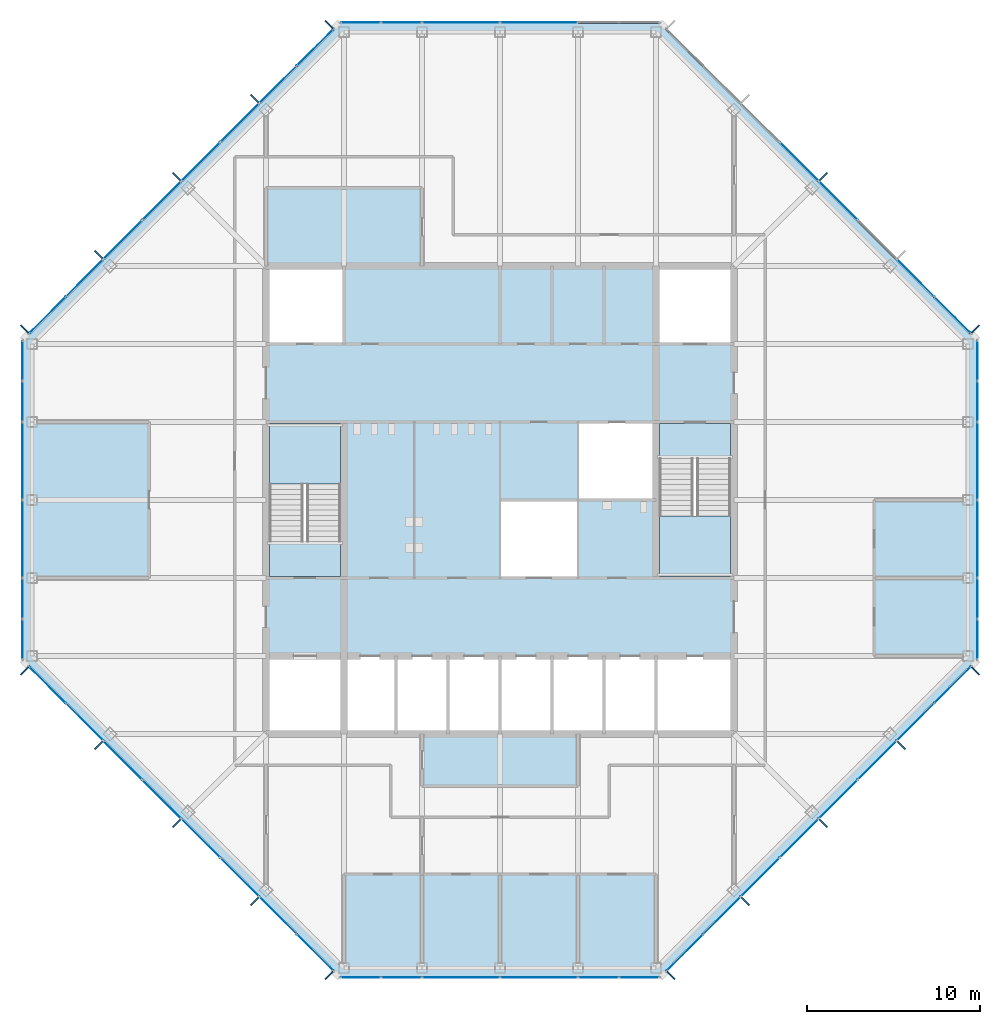
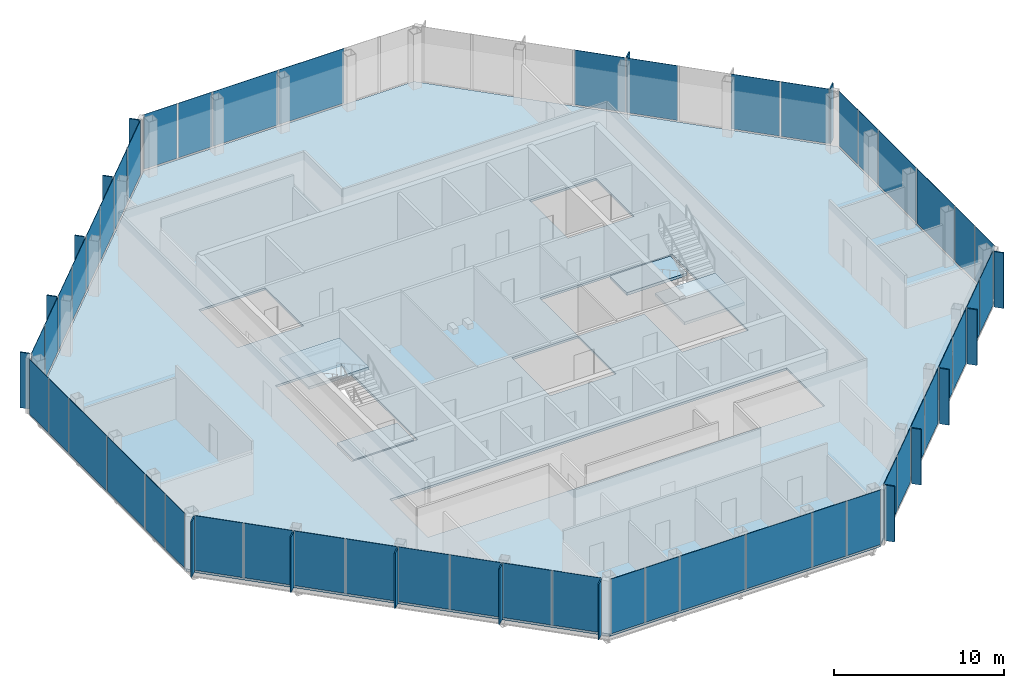
# One storey, part 8 of 13: 67 plates, 5 slabs, 10 elements without a shape of their own.
"""IFC4 building model written with IfcOpenShell, lengths in metres."""

from ifc_helpers import new_model, si_unit, direction, frame, origin, origin_2d, place, context, subcontext, project, spatial, polyline, rectangle, outline, extrude, material, layer, layer_set, type_object, element, aggregate, save


model = new_model("IFC4")

# Units and contexts
model_context = context("Model", 3, precision=1e-05, world=origin(), true_north=direction((0.0, 1.0)))
body_context = subcontext(model_context, "Body", "Model", "MODEL_VIEW")
ifc_project = project(units=[si_unit("LENGTHUNIT", "METRE"), si_unit("AREAUNIT", "SQUARE_METRE"), si_unit("VOLUMEUNIT", "CUBIC_METRE"), si_unit("PLANEANGLEUNIT", "RADIAN"), si_unit("MASSUNIT", "GRAM", prefix="KILO")], contexts=[model_context])

# Site, building, storey
site_placement = place(None, origin())
site = spatial("IfcSite", under=ifc_project, at=site_placement, CompositionType="ELEMENT")
building_placement = place(site_placement, origin())
building = spatial("IfcBuilding", under=site, at=building_placement, Name="Corais Broadcast Tower", CompositionType="ELEMENT")
storey_placement = place(building_placement, frame((0.0, 0.0, 270.60009765625)))
storey = spatial("IfcBuildingStorey", under=building, at=storey_placement, Name="L63", CompositionType="ELEMENT", Elevation=270.60009765625)

# Slab
ifc_material_1 = material(Name="Concrete C30/37", Category="concrete")
ifc_layer_1 = layer(ifc_material_1, 0.159912109375)
ifc_layer_set_1 = layer_set([ifc_layer_1], Name="Concrete C30/37")
slab_type_1 = type_object("IfcSlabType", Name="Composite floor slab 160", PredefinedType="FLOOR", material=ifc_layer_set_1)
slab_1_placement = place(storey_placement, frame((0.0, 0.0, -0.16015625)))
element("IfcSlab", 1, at=slab_1_placement, inside=storey, type_object=slab_type_1, Name="S160 floor slab L63", PredefinedType="FLOOR", context=body_context, shape_type="SweptSolid", body=[
    extrude(outline(polyline([(17.80126953125, -0.47998046875), (-0.47998046875, 17.80126953125), (-0.47998046875, 36.19873046875), (17.80126953125, 54.47998046875), (36.19873046875, 54.47998046875), (54.47998046875, 36.19873046875), (54.47998046875, 17.80126953125), (36.19873046875, -0.47998046875), (17.80126953125, -0.47998046875)]), holes=[polyline([(13.5, 18.0), (40.5, 18.0), (40.5, 13.5), (13.5, 13.5), (13.5, 18.0)]), polyline([(18.0, 22.5), (13.5, 22.5), (13.5, 31.5), (18.0, 31.5), (18.0, 22.5)]), polyline([(18.0, 36.0), (13.5, 36.0), (13.5, 40.5), (18.0, 40.5), (18.0, 36.0)]), polyline([(31.5, 22.5), (27.0, 22.5), (27.0, 27.0), (31.4951171875, 27.0), (31.4951171875, 27.0048828125), (31.5, 27.0048828125), (31.5, 31.5), (40.5, 31.5), (40.5, 22.5), (36.0, 22.5), (36.0, 27.0), (31.5048828125, 27.0), (31.5048828125, 26.9951171875), (31.5, 26.9951171875), (31.5, 22.5)]), polyline([(40.5, 36.0), (36.0, 36.0), (36.0, 40.5), (40.5, 40.5), (40.5, 36.0)])]), origin(), (0.0, 0.0, 1.0), 0.16015625),
])

# Curtain wall, plates
ifc_material_2 = material(Name="Aluminium and glass", Category="aluminium")
curtain_wall_type = type_object("IfcCurtainWallType", Name="Unitised fritted curtain wall CW3", PredefinedType="NOTDEFINED", material=ifc_material_2)
curtain_wall_1_placement = place(storey_placement, origin())
curtain_wall_1 = element("IfcCurtainWall", 2, at=curtain_wall_1_placement, inside=storey, type_object=curtain_wall_type, Name="CW3 curtain wall L63 1", PredefinedType="NOTDEFINED")
ifc_material_3 = material(Name="Ceramic-fritted laminated glass", Category="glass")
ifc_layer_2 = layer(ifc_material_3, 0.02587890625)
ifc_layer_set_2 = layer_set([ifc_layer_2], Name="Ceramic-fritted laminated glass")
plate_type_1 = type_object("IfcPlateType", Name="Fritted glass panel CW3", PredefinedType="CURTAIN_PANEL", material=ifc_layer_set_2)
plate_1_placement = place(storey_placement, frame((16.330322265625, 0.891845703125, 0.06494140625), z_axis=(0.0, 0.0, 1.0), x_axis=(-0.707106781187, 0.707106781187, 0.0)))
plate_1 = element("IfcPlate", 3, at=plate_1_placement, type_object=plate_type_1, Name="CW3 panel 1", PredefinedType="CURTAIN_PANEL", context=body_context, shape_type="SweptSolid", body=[
    extrude(rectangle(XDim=2.9482421875, YDim=0.02587890625, at=origin_2d()), origin(), (0.0, 0.0, 1.0), 3.93505859375),
])
plate_2_placement = place(storey_placement, frame((11.986083984375, 5.236083984375, 0.06494140625), z_axis=(0.0, 0.0, 1.0), x_axis=(-0.707106781187, 0.707106781187, 0.0)))
plate_2 = element("IfcPlate", 4, at=plate_2_placement, type_object=plate_type_1, Name="CW3 panel 3", PredefinedType="CURTAIN_PANEL", context=body_context, shape_type="SweptSolid", body=[
    extrude(rectangle(XDim=3.116943359375, YDim=0.02587890625, at=origin_2d()), origin(), (0.0, 0.0, 1.0), 3.93505859375),
])
plate_3_placement = place(storey_placement, frame((7.486083984375, 9.736083984375, 0.06494140625), z_axis=(0.0, 0.0, 1.0), x_axis=(-0.707106781187, 0.707106781187, 0.0)))
plate_3 = element("IfcPlate", 5, at=plate_3_placement, type_object=plate_type_1, Name="CW3 panel 5", PredefinedType="CURTAIN_PANEL", context=body_context, shape_type="SweptSolid", body=[
    extrude(rectangle(XDim=3.116943359375, YDim=0.02587890625, at=origin_2d()), origin(), (0.0, 0.0, 1.0), 3.93505859375),
])
plate_4_placement = place(storey_placement, frame((3.0341796875, 14.18798828125, 0.06494140625), z_axis=(0.0, 0.0, 1.0), x_axis=(-0.707106781187, 0.707106781187, 0.0)))
plate_4 = element("IfcPlate", 6, at=plate_4_placement, type_object=plate_type_1, Name="CW3 panel 7", PredefinedType="CURTAIN_PANEL", context=body_context, shape_type="SweptSolid", body=[
    extrude(rectangle(XDim=2.98095703125, YDim=0.02587890625, at=origin_2d()), origin(), (0.0, 0.0, 1.0), 3.93505859375),
])

curtain_wall_2_placement = place(storey_placement, origin())
curtain_wall_2 = element("IfcCurtainWall", 7, at=curtain_wall_2_placement, inside=storey, type_object=curtain_wall_type, Name="CW3 curtain wall L63 2", PredefinedType="NOTDEFINED")
plate_5_placement = place(storey_placement, frame((-0.550048828125, 18.970458984375, 0.06494140625), z_axis=(0.0, 0.0, 1.0), x_axis=(0.0, 1.0, 0.0)))
plate_5 = element("IfcPlate", 8, at=plate_5_placement, type_object=plate_type_1, Name="CW3 panel 1", PredefinedType="CURTAIN_PANEL", context=body_context, shape_type="SweptSolid", body=[
    extrude(rectangle(XDim=2.266357421875, YDim=0.02587890625, at=origin_2d()), origin(), (0.0, 0.0, 1.0), 3.93505859375),
])
plate_6_placement = place(storey_placement, frame((-0.550048828125, 24.75, 0.06494140625), z_axis=(0.0, 0.0, 1.0), x_axis=(0.0, 1.0, 0.0)))
plate_6 = element("IfcPlate", 9, at=plate_6_placement, type_object=plate_type_1, Name="CW3 panel 3", PredefinedType="CURTAIN_PANEL", context=body_context, shape_type="SweptSolid", body=[
    extrude(rectangle(XDim=4.43505859375, YDim=0.02587890625, at=origin_2d()), origin(), (0.0, 0.0, 1.0), 3.93505859375),
])
plate_7_placement = place(storey_placement, frame((-0.550048828125, 32.681884765625, 0.06494140625), z_axis=(0.0, 0.0, 1.0), x_axis=(0.0, 1.0, 0.0)))
plate_7 = element("IfcPlate", 10, at=plate_7_placement, type_object=plate_type_1, Name="CW3 panel 5", PredefinedType="CURTAIN_PANEL", context=body_context, shape_type="SweptSolid", body=[
    extrude(rectangle(XDim=2.298828125, YDim=0.02587890625, at=origin_2d()), origin(), (0.0, 0.0, 1.0), 3.93505859375),
])

curtain_wall_3_placement = place(storey_placement, origin())
curtain_wall_3 = element("IfcCurtainWall", 11, at=curtain_wall_3_placement, inside=storey, type_object=curtain_wall_type, Name="CW3 curtain wall L63 3", PredefinedType="NOTDEFINED")
plate_8_placement = place(storey_placement, frame((0.891845703125, 37.669677734375, 0.06494140625), z_axis=(0.0, 0.0, 1.0), x_axis=(0.707106781187, 0.707106781187, 0.0)))
plate_8 = element("IfcPlate", 12, at=plate_8_placement, type_object=plate_type_1, Name="CW3 panel 1", PredefinedType="CURTAIN_PANEL", context=body_context, shape_type="SweptSolid", body=[
    extrude(rectangle(XDim=2.9482421875, YDim=0.02587890625, at=origin_2d()), origin(), (0.0, 0.0, 1.0), 3.93505859375),
])
plate_9_placement = place(storey_placement, frame((5.236083984375, 42.013916015625, 0.06494140625), z_axis=(0.0, 0.0, 1.0), x_axis=(0.707106781187, 0.707106781187, 0.0)))
plate_9 = element("IfcPlate", 13, at=plate_9_placement, type_object=plate_type_1, Name="CW3 panel 3", PredefinedType="CURTAIN_PANEL", context=body_context, shape_type="SweptSolid", body=[
    extrude(rectangle(XDim=3.116943359375, YDim=0.02587890625, at=origin_2d()), origin(), (0.0, 0.0, 1.0), 3.93505859375),
])
plate_10_placement = place(storey_placement, frame((9.736083984375, 46.513916015625, 0.06494140625), z_axis=(0.0, 0.0, 1.0), x_axis=(0.707106781187, 0.707106781187, 0.0)))
plate_10 = element("IfcPlate", 14, at=plate_10_placement, type_object=plate_type_1, Name="CW3 panel 5", PredefinedType="CURTAIN_PANEL", context=body_context, shape_type="SweptSolid", body=[
    extrude(rectangle(XDim=3.116943359375, YDim=0.02587890625, at=origin_2d()), origin(), (0.0, 0.0, 1.0), 3.93505859375),
])
plate_11_placement = place(storey_placement, frame((14.18798828125, 50.9658203125, 0.06494140625), z_axis=(0.0, 0.0, 1.0), x_axis=(0.707106781187, 0.707106781187, 0.0)))
plate_11 = element("IfcPlate", 15, at=plate_11_placement, type_object=plate_type_1, Name="CW3 panel 7", PredefinedType="CURTAIN_PANEL", context=body_context, shape_type="SweptSolid", body=[
    extrude(rectangle(XDim=2.98095703125, YDim=0.02587890625, at=origin_2d()), origin(), (0.0, 0.0, 1.0), 3.93505859375),
])

curtain_wall_4_placement = place(storey_placement, origin())
curtain_wall_4 = element("IfcCurtainWall", 16, at=curtain_wall_4_placement, inside=storey, type_object=curtain_wall_type, Name="CW3 curtain wall L63 4", PredefinedType="NOTDEFINED")
plate_12_placement = place(storey_placement, frame((18.970458984375, 54.550048828125, 0.06494140625), z_axis=(0.0, 0.0, 1.0), x_axis=(1.0, 0.0, 0.0)))
plate_12 = element("IfcPlate", 17, at=plate_12_placement, type_object=plate_type_1, Name="CW3 panel 1", PredefinedType="CURTAIN_PANEL", context=body_context, shape_type="SweptSolid", body=[
    extrude(rectangle(XDim=2.266357421875, YDim=0.02587890625, at=origin_2d()), origin(), (0.0, 0.0, 1.0), 3.93505859375),
])
plate_13_placement = place(storey_placement, frame((24.75, 54.550048828125, 0.06494140625), z_axis=(0.0, 0.0, 1.0), x_axis=(1.0, 0.0, 0.0)))
plate_13 = element("IfcPlate", 18, at=plate_13_placement, type_object=plate_type_1, Name="CW3 panel 3", PredefinedType="CURTAIN_PANEL", context=body_context, shape_type="SweptSolid", body=[
    extrude(rectangle(XDim=4.43505859375, YDim=0.02587890625, at=origin_2d()), origin(), (0.0, 0.0, 1.0), 3.93505859375),
])

curtain_wall_5_placement = place(storey_placement, origin())
curtain_wall_5 = element("IfcCurtainWall", 19, at=curtain_wall_5_placement, inside=storey, type_object=curtain_wall_type, Name="CW3 curtain wall L63 5", PredefinedType="NOTDEFINED")
plate_14_placement = place(storey_placement, frame((46.513916015625, 44.263916015625, 0.06494140625), z_axis=(0.0, 0.0, 1.0), x_axis=(0.707106781187, -0.707106781187, 0.0)))
plate_14 = element("IfcPlate", 20, at=plate_14_placement, type_object=plate_type_1, Name="CW3 panel 5", PredefinedType="CURTAIN_PANEL", context=body_context, shape_type="SweptSolid", body=[
    extrude(rectangle(XDim=3.116943359375, YDim=0.02587890625, at=origin_2d()), origin(), (0.0, 0.0, 1.0), 3.93505859375),
])
plate_15_placement = place(storey_placement, frame((50.9658203125, 39.81201171875, 0.06494140625), z_axis=(0.0, 0.0, 1.0), x_axis=(0.707106781187, -0.707106781187, 0.0)))
plate_15 = element("IfcPlate", 21, at=plate_15_placement, type_object=plate_type_1, Name="CW3 panel 7", PredefinedType="CURTAIN_PANEL", context=body_context, shape_type="SweptSolid", body=[
    extrude(rectangle(XDim=2.98095703125, YDim=0.02587890625, at=origin_2d()), origin(), (0.0, 0.0, 1.0), 3.93505859375),
])

curtain_wall_6_placement = place(storey_placement, origin())
curtain_wall_6 = element("IfcCurtainWall", 22, at=curtain_wall_6_placement, inside=storey, type_object=curtain_wall_type, Name="CW3 curtain wall L63 6", PredefinedType="NOTDEFINED")
plate_16_placement = place(storey_placement, frame((54.550048828125, 35.029541015625, 0.06494140625), z_axis=(0.0, 0.0, 1.0), x_axis=(0.0, -1.0, 0.0)))
plate_16 = element("IfcPlate", 23, at=plate_16_placement, type_object=plate_type_1, Name="CW3 panel 1", PredefinedType="CURTAIN_PANEL", context=body_context, shape_type="SweptSolid", body=[
    extrude(rectangle(XDim=2.266357421875, YDim=0.02587890625, at=origin_2d()), origin(), (0.0, 0.0, 1.0), 3.93505859375),
])
plate_17_placement = place(storey_placement, frame((54.550048828125, 29.25, 0.06494140625), z_axis=(0.0, 0.0, 1.0), x_axis=(0.0, -1.0, 0.0)))
plate_17 = element("IfcPlate", 24, at=plate_17_placement, type_object=plate_type_1, Name="CW3 panel 3", PredefinedType="CURTAIN_PANEL", context=body_context, shape_type="SweptSolid", body=[
    extrude(rectangle(XDim=4.43505859375, YDim=0.02587890625, at=origin_2d()), origin(), (0.0, 0.0, 1.0), 3.93505859375),
])
plate_18_placement = place(storey_placement, frame((54.550048828125, 21.318115234375, 0.06494140625), z_axis=(0.0, 0.0, 1.0), x_axis=(0.0, -1.0, 0.0)))
plate_18 = element("IfcPlate", 25, at=plate_18_placement, type_object=plate_type_1, Name="CW3 panel 5", PredefinedType="CURTAIN_PANEL", context=body_context, shape_type="SweptSolid", body=[
    extrude(rectangle(XDim=2.298828125, YDim=0.02587890625, at=origin_2d()), origin(), (0.0, 0.0, 1.0), 3.93505859375),
])

curtain_wall_7_placement = place(storey_placement, origin())
curtain_wall_7 = element("IfcCurtainWall", 26, at=curtain_wall_7_placement, inside=storey, type_object=curtain_wall_type, Name="CW3 curtain wall L63 7", PredefinedType="NOTDEFINED")
plate_19_placement = place(storey_placement, frame((53.108154296875, 16.330322265625, 0.06494140625), z_axis=(0.0, 0.0, 1.0), x_axis=(-0.707106781187, -0.707106781187, 0.0)))
plate_19 = element("IfcPlate", 27, at=plate_19_placement, type_object=plate_type_1, Name="CW3 panel 1", PredefinedType="CURTAIN_PANEL", context=body_context, shape_type="SweptSolid", body=[
    extrude(rectangle(XDim=2.9482421875, YDim=0.02587890625, at=origin_2d()), origin(), (0.0, 0.0, 1.0), 3.93505859375),
])
plate_20_placement = place(storey_placement, frame((48.763916015625, 11.986083984375, 0.06494140625), z_axis=(0.0, 0.0, 1.0), x_axis=(-0.707106781187, -0.707106781187, 0.0)))
plate_20 = element("IfcPlate", 28, at=plate_20_placement, type_object=plate_type_1, Name="CW3 panel 3", PredefinedType="CURTAIN_PANEL", context=body_context, shape_type="SweptSolid", body=[
    extrude(rectangle(XDim=3.116943359375, YDim=0.02587890625, at=origin_2d()), origin(), (0.0, 0.0, 1.0), 3.93505859375),
])
plate_21_placement = place(storey_placement, frame((44.263916015625, 7.486083984375, 0.06494140625), z_axis=(0.0, 0.0, 1.0), x_axis=(-0.707106781187, -0.707106781187, 0.0)))
plate_21 = element("IfcPlate", 29, at=plate_21_placement, type_object=plate_type_1, Name="CW3 panel 5", PredefinedType="CURTAIN_PANEL", context=body_context, shape_type="SweptSolid", body=[
    extrude(rectangle(XDim=3.116943359375, YDim=0.02587890625, at=origin_2d()), origin(), (0.0, 0.0, 1.0), 3.93505859375),
])
plate_22_placement = place(storey_placement, frame((39.81201171875, 3.0341796875, 0.06494140625), z_axis=(0.0, 0.0, 1.0), x_axis=(-0.707106781187, -0.707106781187, 0.0)))
plate_22 = element("IfcPlate", 30, at=plate_22_placement, type_object=plate_type_1, Name="CW3 panel 7", PredefinedType="CURTAIN_PANEL", context=body_context, shape_type="SweptSolid", body=[
    extrude(rectangle(XDim=2.98095703125, YDim=0.02587890625, at=origin_2d()), origin(), (0.0, 0.0, 1.0), 3.93505859375),
])

curtain_wall_8_placement = place(storey_placement, origin())
curtain_wall_8 = element("IfcCurtainWall", 31, at=curtain_wall_8_placement, inside=storey, type_object=curtain_wall_type, Name="CW3 curtain wall L63 8", PredefinedType="NOTDEFINED")
plate_23_placement = place(storey_placement, frame((35.029541015625, -0.550048828125, 0.06494140625), z_axis=(0.0, 0.0, 1.0), x_axis=(-1.0, 0.0, 0.0)))
plate_23 = element("IfcPlate", 32, at=plate_23_placement, type_object=plate_type_1, Name="CW3 panel 1", PredefinedType="CURTAIN_PANEL", context=body_context, shape_type="SweptSolid", body=[
    extrude(rectangle(XDim=2.266357421875, YDim=0.02587890625, at=origin_2d()), origin(), (0.0, 0.0, 1.0), 3.93505859375),
])
plate_24_placement = place(storey_placement, frame((29.25, -0.550048828125, 0.06494140625), z_axis=(0.0, 0.0, 1.0), x_axis=(-1.0, 0.0, 0.0)))
plate_24 = element("IfcPlate", 33, at=plate_24_placement, type_object=plate_type_1, Name="CW3 panel 3", PredefinedType="CURTAIN_PANEL", context=body_context, shape_type="SweptSolid", body=[
    extrude(rectangle(XDim=4.43505859375, YDim=0.02587890625, at=origin_2d()), origin(), (0.0, 0.0, 1.0), 3.93505859375),
])
plate_25_placement = place(storey_placement, frame((21.318115234375, -0.550048828125, 0.06494140625), z_axis=(0.0, 0.0, 1.0), x_axis=(-1.0, 0.0, 0.0)))
plate_25 = element("IfcPlate", 34, at=plate_25_placement, type_object=plate_type_1, Name="CW3 panel 5", PredefinedType="CURTAIN_PANEL", context=body_context, shape_type="SweptSolid", body=[
    extrude(rectangle(XDim=2.298828125, YDim=0.02587890625, at=origin_2d()), origin(), (0.0, 0.0, 1.0), 3.93505859375),
])

# Plate
ifc_material_4 = material(Name="Clear laminated glass", Category="glass")
ifc_layer_3 = layer(ifc_material_4, 0.030029296875)
ifc_layer_set_3 = layer_set([ifc_layer_3], Name="Clear laminated glass")
plate_type_2 = type_object("IfcPlateType", Name="Operable glass panel CW3", PredefinedType="CURTAIN_PANEL", material=ifc_layer_set_3)
plate_26_placement = place(storey_placement, frame((14.18798828125, 3.0341796875, 0.06494140625), z_axis=(0.0, 0.0, 1.0), x_axis=(-0.707106781187, 0.707106781187, 0.0)))
plate_26 = element("IfcPlate", 35, at=plate_26_placement, type_object=plate_type_2, Name="CW3 operable panel 2", PredefinedType="CURTAIN_PANEL", context=body_context, shape_type="SweptSolid", body=[
    extrude(rectangle(XDim=2.98095703125, YDim=0.030029296875, at=origin_2d()), origin(), (0.0, 0.0, 1.0), 3.93505859375),
])

plate_27_placement = place(storey_placement, frame((9.736083984375, 7.486083984375, 0.06494140625), z_axis=(0.0, 0.0, 1.0), x_axis=(-0.707106781187, 0.707106781187, 0.0)))
plate_27 = element("IfcPlate", 36, at=plate_27_placement, type_object=plate_type_2, Name="CW3 operable panel 4", PredefinedType="CURTAIN_PANEL", context=body_context, shape_type="SweptSolid", body=[
    extrude(rectangle(XDim=3.116943359375, YDim=0.030029296875, at=origin_2d()), origin(), (0.0, 0.0, 1.0), 3.93505859375),
])

plate_28_placement = place(storey_placement, frame((5.236083984375, 11.986083984375, 0.06494140625), z_axis=(0.0, 0.0, 1.0), x_axis=(-0.707106781187, 0.707106781187, 0.0)))
plate_28 = element("IfcPlate", 37, at=plate_28_placement, type_object=plate_type_2, Name="CW3 operable panel 6", PredefinedType="CURTAIN_PANEL", context=body_context, shape_type="SweptSolid", body=[
    extrude(rectangle(XDim=3.116943359375, YDim=0.030029296875, at=origin_2d()), origin(), (0.0, 0.0, 1.0), 3.93505859375),
])

plate_29_placement = place(storey_placement, frame((0.89208984375, 16.330322265625, 0.06494140625), z_axis=(0.0, 0.0, 1.0), x_axis=(-0.707106781187, 0.707106781187, 0.0)))
plate_29 = element("IfcPlate", 38, at=plate_29_placement, type_object=plate_type_2, Name="CW3 operable panel 8", PredefinedType="CURTAIN_PANEL", context=body_context, shape_type="SweptSolid", body=[
    extrude(rectangle(XDim=2.948486328125, YDim=0.030029296875, at=origin_2d()), origin(), (0.0, 0.0, 1.0), 3.93505859375),
])

aggregate(curtain_wall_1, [plate_1, plate_26, plate_2, plate_27, plate_3, plate_28, plate_4, plate_29])

plate_30_placement = place(storey_placement, frame((-0.550048828125, 21.318115234375, 0.06494140625), z_axis=(0.0, 0.0, 1.0), x_axis=(0.0, 1.0, 0.0)))
plate_30 = element("IfcPlate", 39, at=plate_30_placement, type_object=plate_type_2, Name="CW3 operable panel 2", PredefinedType="CURTAIN_PANEL", context=body_context, shape_type="SweptSolid", body=[
    extrude(rectangle(XDim=2.298828125, YDim=0.030029296875, at=origin_2d()), origin(), (0.0, 0.0, 1.0), 3.93505859375),
])

plate_31_placement = place(storey_placement, frame((-0.550048828125, 29.25, 0.06494140625), z_axis=(0.0, 0.0, 1.0), x_axis=(0.0, 1.0, 0.0)))
plate_31 = element("IfcPlate", 40, at=plate_31_placement, type_object=plate_type_2, Name="CW3 operable panel 4", PredefinedType="CURTAIN_PANEL", context=body_context, shape_type="SweptSolid", body=[
    extrude(rectangle(XDim=4.43505859375, YDim=0.030029296875, at=origin_2d()), origin(), (0.0, 0.0, 1.0), 3.93505859375),
])

plate_32_placement = place(storey_placement, frame((-0.550048828125, 35.029541015625, 0.06494140625), z_axis=(0.0, 0.0, 1.0), x_axis=(0.0, 1.0, 0.0)))
plate_32 = element("IfcPlate", 41, at=plate_32_placement, type_object=plate_type_2, Name="CW3 operable panel 6", PredefinedType="CURTAIN_PANEL", context=body_context, shape_type="SweptSolid", body=[
    extrude(rectangle(XDim=2.266357421875, YDim=0.030029296875, at=origin_2d()), origin(), (0.0, 0.0, 1.0), 3.93505859375),
])

aggregate(curtain_wall_2, [plate_5, plate_30, plate_6, plate_31, plate_7, plate_32])

plate_33_placement = place(storey_placement, frame((3.0341796875, 39.81201171875, 0.06494140625), z_axis=(0.0, 0.0, 1.0), x_axis=(0.707106781187, 0.707106781187, 0.0)))
plate_33 = element("IfcPlate", 42, at=plate_33_placement, type_object=plate_type_2, Name="CW3 operable panel 2", PredefinedType="CURTAIN_PANEL", context=body_context, shape_type="SweptSolid", body=[
    extrude(rectangle(XDim=2.98095703125, YDim=0.030029296875, at=origin_2d()), origin(), (0.0, 0.0, 1.0), 3.93505859375),
])

plate_34_placement = place(storey_placement, frame((7.486083984375, 44.263916015625, 0.06494140625), z_axis=(0.0, 0.0, 1.0), x_axis=(0.707106781187, 0.707106781187, 0.0)))
plate_34 = element("IfcPlate", 43, at=plate_34_placement, type_object=plate_type_2, Name="CW3 operable panel 4", PredefinedType="CURTAIN_PANEL", context=body_context, shape_type="SweptSolid", body=[
    extrude(rectangle(XDim=3.116943359375, YDim=0.030029296875, at=origin_2d()), origin(), (0.0, 0.0, 1.0), 3.93505859375),
])

plate_35_placement = place(storey_placement, frame((11.986083984375, 48.763916015625, 0.06494140625), z_axis=(0.0, 0.0, 1.0), x_axis=(0.707106781187, 0.707106781187, 0.0)))
plate_35 = element("IfcPlate", 44, at=plate_35_placement, type_object=plate_type_2, Name="CW3 operable panel 6", PredefinedType="CURTAIN_PANEL", context=body_context, shape_type="SweptSolid", body=[
    extrude(rectangle(XDim=3.116943359375, YDim=0.030029296875, at=origin_2d()), origin(), (0.0, 0.0, 1.0), 3.93505859375),
])

plate_36_placement = place(storey_placement, frame((16.330322265625, 53.10791015625, 0.06494140625), z_axis=(0.0, 0.0, 1.0), x_axis=(0.707106781187, 0.707106781187, 0.0)))
plate_36 = element("IfcPlate", 45, at=plate_36_placement, type_object=plate_type_2, Name="CW3 operable panel 8", PredefinedType="CURTAIN_PANEL", context=body_context, shape_type="SweptSolid", body=[
    extrude(rectangle(XDim=2.948486328125, YDim=0.030029296875, at=origin_2d()), origin(), (0.0, 0.0, 1.0), 3.93505859375),
])

aggregate(curtain_wall_3, [plate_8, plate_33, plate_9, plate_34, plate_10, plate_35, plate_11, plate_36])

plate_37_placement = place(storey_placement, frame((21.318115234375, 54.550048828125, 0.06494140625), z_axis=(0.0, 0.0, 1.0), x_axis=(1.0, 0.0, 0.0)))
plate_37 = element("IfcPlate", 46, at=plate_37_placement, type_object=plate_type_2, Name="CW3 operable panel 2", PredefinedType="CURTAIN_PANEL", context=body_context, shape_type="SweptSolid", body=[
    extrude(rectangle(XDim=2.298828125, YDim=0.030029296875, at=origin_2d()), origin(), (0.0, 0.0, 1.0), 3.93505859375),
])

plate_38_placement = place(storey_placement, frame((29.25, 54.550048828125, 0.06494140625), z_axis=(0.0, 0.0, 1.0), x_axis=(1.0, 0.0, 0.0)))
plate_38 = element("IfcPlate", 47, at=plate_38_placement, type_object=plate_type_2, Name="CW3 operable panel 4", PredefinedType="CURTAIN_PANEL", context=body_context, shape_type="SweptSolid", body=[
    extrude(rectangle(XDim=4.43505859375, YDim=0.030029296875, at=origin_2d()), origin(), (0.0, 0.0, 1.0), 3.93505859375),
])

aggregate(curtain_wall_4, [plate_12, plate_37, plate_13, plate_38])

plate_39_placement = place(storey_placement, frame((44.263916015625, 46.513916015625, 0.06494140625), z_axis=(0.0, 0.0, 1.0), x_axis=(0.707106781187, -0.707106781187, 0.0)))
plate_39 = element("IfcPlate", 48, at=plate_39_placement, type_object=plate_type_2, Name="CW3 operable panel 4", PredefinedType="CURTAIN_PANEL", context=body_context, shape_type="SweptSolid", body=[
    extrude(rectangle(XDim=3.116943359375, YDim=0.030029296875, at=origin_2d()), origin(), (0.0, 0.0, 1.0), 3.93505859375),
])

plate_40_placement = place(storey_placement, frame((53.10791015625, 37.669677734375, 0.06494140625), z_axis=(0.0, 0.0, 1.0), x_axis=(0.707106781187, -0.707106781187, 0.0)))
plate_40 = element("IfcPlate", 49, at=plate_40_placement, type_object=plate_type_2, Name="CW3 operable panel 8", PredefinedType="CURTAIN_PANEL", context=body_context, shape_type="SweptSolid", body=[
    extrude(rectangle(XDim=2.948486328125, YDim=0.030029296875, at=origin_2d()), origin(), (0.0, 0.0, 1.0), 3.93505859375),
])

aggregate(curtain_wall_5, [plate_39, plate_14, plate_15, plate_40])

plate_41_placement = place(storey_placement, frame((54.550048828125, 32.681884765625, 0.06494140625), z_axis=(0.0, 0.0, 1.0), x_axis=(0.0, -1.0, 0.0)))
plate_41 = element("IfcPlate", 50, at=plate_41_placement, type_object=plate_type_2, Name="CW3 operable panel 2", PredefinedType="CURTAIN_PANEL", context=body_context, shape_type="SweptSolid", body=[
    extrude(rectangle(XDim=2.298828125, YDim=0.030029296875, at=origin_2d()), origin(), (0.0, 0.0, 1.0), 3.93505859375),
])

plate_42_placement = place(storey_placement, frame((54.550048828125, 24.75, 0.06494140625), z_axis=(0.0, 0.0, 1.0), x_axis=(0.0, -1.0, 0.0)))
plate_42 = element("IfcPlate", 51, at=plate_42_placement, type_object=plate_type_2, Name="CW3 operable panel 4", PredefinedType="CURTAIN_PANEL", context=body_context, shape_type="SweptSolid", body=[
    extrude(rectangle(XDim=4.43505859375, YDim=0.030029296875, at=origin_2d()), origin(), (0.0, 0.0, 1.0), 3.93505859375),
])

plate_43_placement = place(storey_placement, frame((54.550048828125, 18.970458984375, 0.06494140625), z_axis=(0.0, 0.0, 1.0), x_axis=(0.0, -1.0, 0.0)))
plate_43 = element("IfcPlate", 52, at=plate_43_placement, type_object=plate_type_2, Name="CW3 operable panel 6", PredefinedType="CURTAIN_PANEL", context=body_context, shape_type="SweptSolid", body=[
    extrude(rectangle(XDim=2.266357421875, YDim=0.030029296875, at=origin_2d()), origin(), (0.0, 0.0, 1.0), 3.93505859375),
])

aggregate(curtain_wall_6, [plate_16, plate_41, plate_17, plate_42, plate_18, plate_43])

plate_44_placement = place(storey_placement, frame((50.9658203125, 14.18798828125, 0.06494140625), z_axis=(0.0, 0.0, 1.0), x_axis=(-0.707106781187, -0.707106781187, 0.0)))
plate_44 = element("IfcPlate", 53, at=plate_44_placement, type_object=plate_type_2, Name="CW3 operable panel 2", PredefinedType="CURTAIN_PANEL", context=body_context, shape_type="SweptSolid", body=[
    extrude(rectangle(XDim=2.98095703125, YDim=0.030029296875, at=origin_2d()), origin(), (0.0, 0.0, 1.0), 3.93505859375),
])

plate_45_placement = place(storey_placement, frame((46.513916015625, 9.736083984375, 0.06494140625), z_axis=(0.0, 0.0, 1.0), x_axis=(-0.707106781187, -0.707106781187, 0.0)))
plate_45 = element("IfcPlate", 54, at=plate_45_placement, type_object=plate_type_2, Name="CW3 operable panel 4", PredefinedType="CURTAIN_PANEL", context=body_context, shape_type="SweptSolid", body=[
    extrude(rectangle(XDim=3.116943359375, YDim=0.030029296875, at=origin_2d()), origin(), (0.0, 0.0, 1.0), 3.93505859375),
])

plate_46_placement = place(storey_placement, frame((42.013916015625, 5.236083984375, 0.06494140625), z_axis=(0.0, 0.0, 1.0), x_axis=(-0.707106781187, -0.707106781187, 0.0)))
plate_46 = element("IfcPlate", 55, at=plate_46_placement, type_object=plate_type_2, Name="CW3 operable panel 6", PredefinedType="CURTAIN_PANEL", context=body_context, shape_type="SweptSolid", body=[
    extrude(rectangle(XDim=3.116943359375, YDim=0.030029296875, at=origin_2d()), origin(), (0.0, 0.0, 1.0), 3.93505859375),
])

plate_47_placement = place(storey_placement, frame((37.669677734375, 0.89208984375, 0.06494140625), z_axis=(0.0, 0.0, 1.0), x_axis=(-0.707106781187, -0.707106781187, 0.0)))
plate_47 = element("IfcPlate", 56, at=plate_47_placement, type_object=plate_type_2, Name="CW3 operable panel 8", PredefinedType="CURTAIN_PANEL", context=body_context, shape_type="SweptSolid", body=[
    extrude(rectangle(XDim=2.948486328125, YDim=0.030029296875, at=origin_2d()), origin(), (0.0, 0.0, 1.0), 3.93505859375),
])

aggregate(curtain_wall_7, [plate_19, plate_44, plate_20, plate_45, plate_21, plate_46, plate_22, plate_47])

plate_48_placement = place(storey_placement, frame((32.681884765625, -0.550048828125, 0.06494140625), z_axis=(0.0, 0.0, 1.0), x_axis=(-1.0, 0.0, 0.0)))
plate_48 = element("IfcPlate", 57, at=plate_48_placement, type_object=plate_type_2, Name="CW3 operable panel 2", PredefinedType="CURTAIN_PANEL", context=body_context, shape_type="SweptSolid", body=[
    extrude(rectangle(XDim=2.298828125, YDim=0.030029296875, at=origin_2d()), origin(), (0.0, 0.0, 1.0), 3.93505859375),
])

plate_49_placement = place(storey_placement, frame((24.75, -0.550048828125, 0.06494140625), z_axis=(0.0, 0.0, 1.0), x_axis=(-1.0, 0.0, 0.0)))
plate_49 = element("IfcPlate", 58, at=plate_49_placement, type_object=plate_type_2, Name="CW3 operable panel 4", PredefinedType="CURTAIN_PANEL", context=body_context, shape_type="SweptSolid", body=[
    extrude(rectangle(XDim=4.43505859375, YDim=0.030029296875, at=origin_2d()), origin(), (0.0, 0.0, 1.0), 3.93505859375),
])

plate_50_placement = place(storey_placement, frame((18.970458984375, -0.550048828125, 0.06494140625), z_axis=(0.0, 0.0, 1.0), x_axis=(-1.0, 0.0, 0.0)))
plate_50 = element("IfcPlate", 59, at=plate_50_placement, type_object=plate_type_2, Name="CW3 operable panel 6", PredefinedType="CURTAIN_PANEL", context=body_context, shape_type="SweptSolid", body=[
    extrude(rectangle(XDim=2.266357421875, YDim=0.030029296875, at=origin_2d()), origin(), (0.0, 0.0, 1.0), 3.93505859375),
])

aggregate(curtain_wall_8, [plate_23, plate_48, plate_24, plate_49, plate_25, plate_50])

# Stair, slabs
ifc_material_5 = material(Name="Concrete C30/37", Category="concrete")
stair_type = type_object("IfcStairType", Name="Half-turn stair 4000", PredefinedType="HALF_TURN_STAIR", material=ifc_material_5)
stair_1_placement = place(storey_placement, origin())
stair_1 = element("IfcStair", 60, at=stair_1_placement, inside=storey, type_object=stair_type, Name="Stair A L63", PredefinedType="HALF_TURN_STAIR")
ifc_material_6 = material(Name="Concrete C30/37", Category="concrete")
ifc_layer_4 = layer(ifc_material_6, 0.199951171875)
ifc_layer_set_4 = layer_set([ifc_layer_4], Name="Concrete C30/37")
slab_type_2 = type_object("IfcSlabType", Name="Stair landing 200", PredefinedType="LANDING", material=ifc_layer_set_4)
slab_2_placement = place(storey_placement, frame((0.0, 0.0, -0.2001953125)))
slab_2 = element("IfcSlab", 61, at=slab_2_placement, type_object=slab_type_2, Name="STA landing 1", PredefinedType="LANDING", context=body_context, shape_type="SweptSolid", body=[
    extrude(outline(polyline([(13.699951171875, 22.60009765625), (17.800048828125, 22.60009765625), (17.800048828125, 24.60009765625), (13.699951171875, 24.60009765625), (13.699951171875, 22.60009765625)])), origin(), (0.0, 0.0, 1.0), 0.2001953125),
])
slab_3_placement = place(storey_placement, frame((0.0, 0.0, 1.7998046875)))
slab_3 = element("IfcSlab", 62, at=slab_3_placement, type_object=slab_type_2, Name="STA landing 2", PredefinedType="LANDING", context=body_context, shape_type="SweptSolid", body=[
    extrude(outline(polyline([(13.699951171875, 27.922119140625), (17.800048828125, 27.922119140625), (17.800048828125, 31.39990234375), (13.699951171875, 31.39990234375), (13.699951171875, 27.922119140625)])), origin(), (0.0, 0.0, 1.0), 0.2001953125),
])
aggregate(stair_1, [slab_2, slab_3])

stair_2_placement = place(storey_placement, origin())
stair_2 = element("IfcStair", 63, at=stair_2_placement, inside=storey, type_object=stair_type, Name="Stair B L63", PredefinedType="HALF_TURN_STAIR")
slab_4_placement = place(storey_placement, frame((0.0, 0.0, -0.2001953125)))
slab_4 = element("IfcSlab", 64, at=slab_4_placement, type_object=slab_type_2, Name="STB landing 1", PredefinedType="LANDING", context=body_context, shape_type="SweptSolid", body=[
    extrude(outline(polyline([(36.199951171875, 29.39990234375), (40.300048828125, 29.39990234375), (40.300048828125, 31.39990234375), (36.199951171875, 31.39990234375), (36.199951171875, 29.39990234375)])), origin(), (0.0, 0.0, 1.0), 0.2001953125),
])
slab_5_placement = place(storey_placement, frame((0.0, 0.0, 1.7998046875)))
slab_5 = element("IfcSlab", 65, at=slab_5_placement, type_object=slab_type_2, Name="STB landing 2", PredefinedType="LANDING", context=body_context, shape_type="SweptSolid", body=[
    extrude(outline(polyline([(36.199951171875, 22.60009765625), (40.300048828125, 22.60009765625), (40.300048828125, 26.077880859375), (36.199951171875, 26.077880859375), (36.199951171875, 22.60009765625)])), origin(), (0.0, 0.0, 1.0), 0.2001953125),
])
aggregate(stair_2, [slab_4, slab_5])

# Plates
ifc_material_7 = material(Name="Granite stone cladding", Category="masonry")
ifc_layer_5 = layer(ifc_material_7, 0.080078125)
ifc_layer_set_5 = layer_set([ifc_layer_5], Name="Granite stone cladding")
plate_type_3 = type_object("IfcPlateType", Name="Stone screen fin 80x600", PredefinedType="USERDEFINED", material=ifc_layer_set_5)
for number, where, z_axis, x_axis, name in (
    (66, (17.129150390625, -0.43994140625, 0.0), (0.0, 0.0, 1.0), (-0.707106781187, 0.707106781187, 0.0), "SF1 stone screen fin L63"),
    (67, (12.844482421875, 3.844482421875, 0.0), (0.0, 0.0, 1.0), (-0.707106781187, 0.707106781187, 0.0), "SF1 stone screen fin L63"),
    (68, (8.344482421875, 8.344482421875, 0.0), (0.0, 0.0, 1.0), (-0.707106781187, 0.707106781187, 0.0), "SF1 stone screen fin L63"),
    (69, (3.844482421875, 12.844482421875, 0.0), (0.0, 0.0, 1.0), (-0.707106781187, 0.707106781187, 0.0), "SF1 stone screen fin L63"),
    (70, (-0.43994140625, 17.129150390625, 0.0), (0.0, 0.0, 1.0), (-0.707106781187, 0.707106781187, 0.0), "SF1 stone screen fin L63"),
    (71, (-0.43994140625, 36.870849609375, 0.0), (0.0, 0.0, 1.0), (0.707106781187, 0.707106781187, 0.0), "SF1 stone screen fin L63"),
    (72, (3.844482421875, 41.155517578125, 0.0), (0.0, 0.0, 1.0), (0.707106781187, 0.707106781187, 0.0), "SF1 stone screen fin L63"),
    (73, (8.344482421875, 45.655517578125, 0.0), (0.0, 0.0, 1.0), (0.707106781187, 0.707106781187, 0.0), "SF1 stone screen fin L63"),
    (74, (12.844482421875, 50.155517578125, 0.0), (0.0, 0.0, 1.0), (0.707106781187, 0.707106781187, 0.0), "SF1 stone screen fin L63"),
    (75, (17.129150390625, 54.43994140625, 0.0), (0.0, 0.0, 1.0), (0.707106781187, 0.707106781187, 0.0), "SF1 stone screen fin L63"),
    (76, (45.655517578125, 45.655517578125, 0.0), (0.0, 0.0, 1.0), (0.707106781187, -0.707106781187, 0.0), "SF1 stone screen fin L63"),
    (77, (54.43994140625, 36.870849609375, 0.0), (0.0, 0.0, 1.0), (0.707106781187, -0.707106781187, 0.0), "SF1 stone screen fin L63"),
    (78, (54.43994140625, 17.129150390625, 0.0), (0.0, 0.0, 1.0), (-0.707106781187, -0.707106781187, 0.0), "SF1 stone screen fin L63"),
    (79, (50.155517578125, 12.844482421875, 0.0), (0.0, 0.0, 1.0), (-0.707106781187, -0.707106781187, 0.0), "SF1 stone screen fin L63"),
    (80, (45.655517578125, 8.344482421875, 0.0), (0.0, 0.0, 1.0), (-0.707106781187, -0.707106781187, 0.0), "SF1 stone screen fin L63"),
    (81, (41.155517578125, 3.844482421875, 0.0), (0.0, 0.0, 1.0), (-0.707106781187, -0.707106781187, 0.0), "SF1 stone screen fin L63"),
    (82, (36.870849609375, -0.43994140625, 0.0), (0.0, 0.0, 1.0), (-0.707106781187, -0.707106781187, 0.0), "SF1 stone screen fin L63"),
):
    element("IfcPlate", number, at=place(storey_placement, frame(where, z_axis=z_axis, x_axis=x_axis)), inside=storey, type_object=plate_type_3, Name=name, ObjectType="STONE SCREEN FIN", PredefinedType="USERDEFINED", context=body_context, shape_type="SweptSolid", body=[
        extrude(rectangle(XDim=0.080078125, YDim=0.60009765625, at=origin_2d()), origin(), (0.0, 0.0, 1.0), 4.0),
    ])

save(model, "model.ifc")
